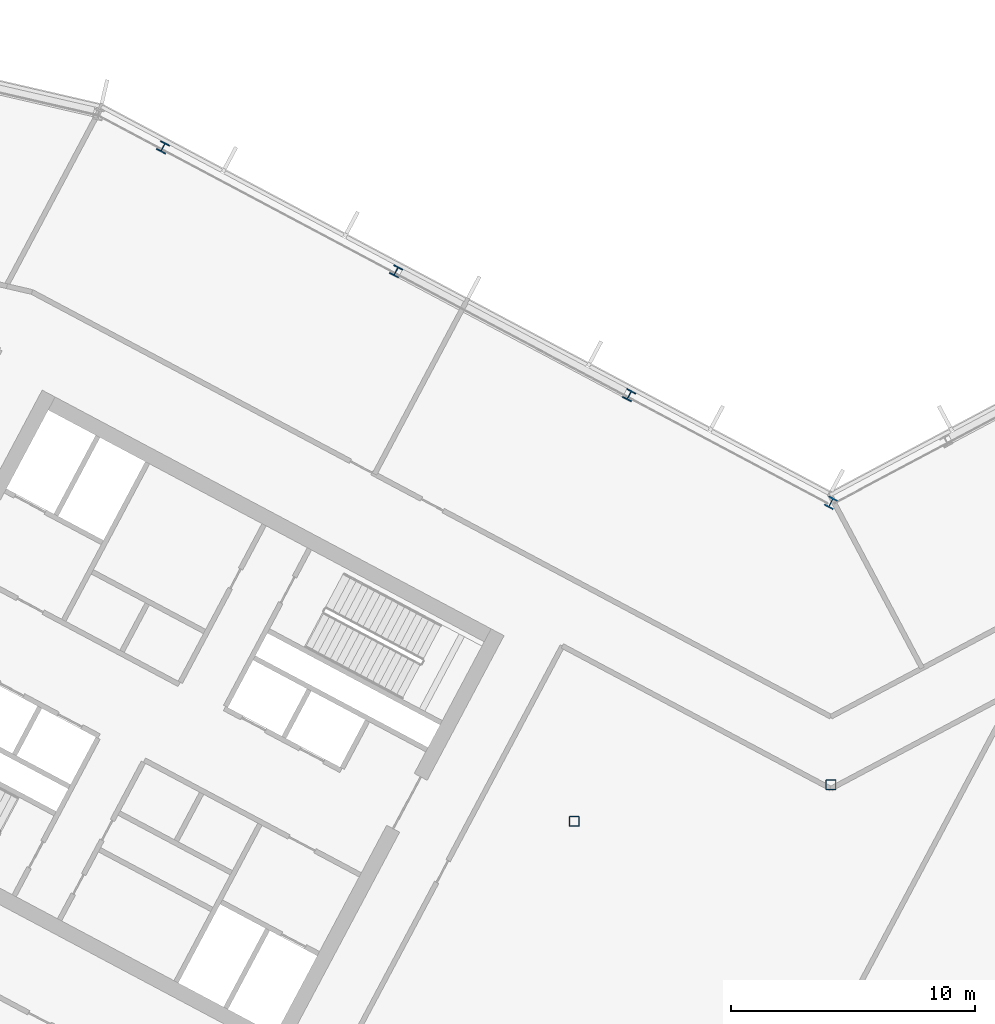
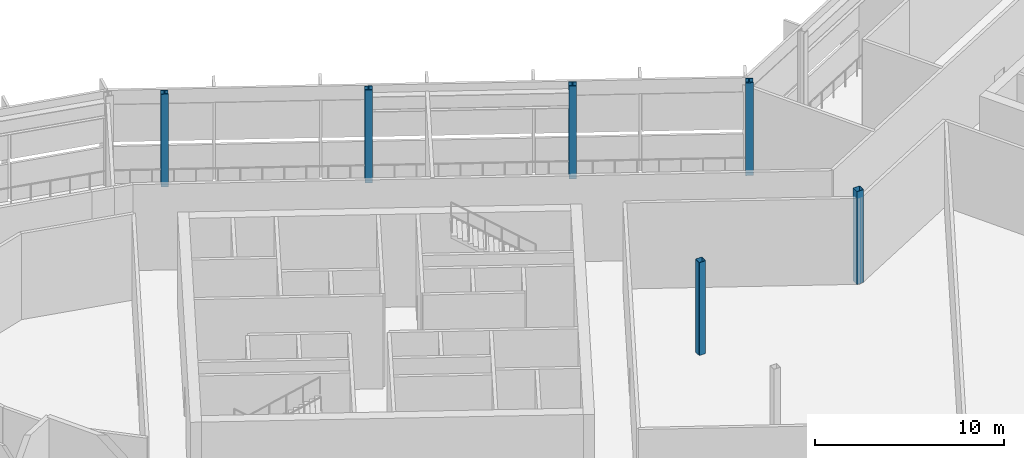
# One storey, part 4 of 33: 6 columns.
"""IFC4 building model written with IfcOpenShell, lengths in metres."""

from ifc_helpers import new_model, si_unit, direction, frame, origin, origin_2d, place, context, subcontext, project, spatial, hollow_rectangle, i_section, extrude, material, material_profile, profile_set, type_object, element, save


model = new_model("IFC4")

# Units and contexts
model_context = context("Model", 3, precision=1e-05, world=origin(), true_north=direction((0.0, 1.0)))
body_context = subcontext(model_context, "Body", "Model", "MODEL_VIEW")
ifc_project = project(units=[si_unit("LENGTHUNIT", "METRE"), si_unit("AREAUNIT", "SQUARE_METRE"), si_unit("VOLUMEUNIT", "CUBIC_METRE"), si_unit("PLANEANGLEUNIT", "RADIAN"), si_unit("MASSUNIT", "GRAM", prefix="KILO")], contexts=[model_context])

# Site, building, storey
site_placement = place(None, origin())
site = spatial("IfcSite", under=ifc_project, at=site_placement, CompositionType="ELEMENT")
building_placement = place(site_placement, origin())
building = spatial("IfcBuilding", under=site, at=building_placement, Name="Cormorant Relay Tower", CompositionType="ELEMENT")
storey_placement = place(building_placement, frame((0.0, 0.0, 252.0)))
storey = spatial("IfcBuildingStorey", under=building, at=storey_placement, Name="L56", CompositionType="ELEMENT", Elevation=252.0)

# Columns
ifc_material_1 = material(Name="Steel ASTM A500 Grade C (Fy 345 MPa)", Category="steel")
ifc_material_profile_1 = material_profile(ifc_material_1, hollow_rectangle(XDim=0.406494140625, YDim=0.406494140625, WallThickness=0.0146484375, InnerFilletRadius=0.00732421875, OuterFilletRadius=0.022216796875, at=origin_2d()), Name="HSS406x406x15")
ifc_profile_set_1 = profile_set([ifc_material_profile_1], Name="Steel ASTM A500 Grade C (Fy 345 MPa)")
column_type_1 = type_object("IfcColumnType", Name="Column HSS406x406x15", PredefinedType="COLUMN", material=ifc_profile_set_1)
for number, where, z_axis, x_axis, name in (
    (1, (-10.5, 10.5, 0.0), (0.0, 0.0, 1.0), (1.0, 0.0, 0.0), "Column L56-023"),
    (2, (0.0, 12.0, 0.0), (0.0, 0.0, 1.0), (1.0, 0.0, 0.0), "Column L56-025"),
):
    element("IfcColumn", number, at=place(storey_placement, frame(where, z_axis=z_axis, x_axis=x_axis)), inside=storey, type_object=column_type_1, Name=name, PredefinedType="COLUMN", context=body_context, shape_type="SweptSolid", body=[
        extrude(hollow_rectangle(XDim=0.406494140625, YDim=0.406494140625, WallThickness=0.0146484375, InnerFilletRadius=0.00732421875, OuterFilletRadius=0.022216796875, at=origin_2d()), origin(), (0.0, 0.0, 1.0), 6.0),
    ])
ifc_material_2 = material(Name="Steel ASTM A992 (Fy 345 MPa)", Category="steel")
ifc_material_profile_2 = material_profile(ifc_material_2, i_section(OverallWidth=0.40380859375, OverallDepth=0.406494140625, WebThickness=0.027099609375, FlangeThickness=0.043701171875, FilletRadius=0.01513671875, at=origin_2d()), Name="W360x347")
ifc_profile_set_2 = profile_set([ifc_material_profile_2], Name="Steel ASTM A992 (Fy 345 MPa)")
column_type_2 = type_object("IfcColumnType", Name="Column W360x347", PredefinedType="COLUMN", material=ifc_profile_set_2)
for number, where, z_axis, x_axis, name in (
    (3, (-8.251953125, 27.93408203125, 0.0), (0.0, 0.0, 1.0), (-0.882947592859, 0.469471562786, 0.0), "Column L56-033"),
    (4, (-17.7880859375, 33.00390625, 0.0), (0.0, 0.0, 1.0), (-0.882947592859, 0.469471562786, 0.0), "Column L56-037"),
    (5, (-27.322998046875, 38.073974609375, 0.0), (0.0, 0.0, 1.0), (-0.882947592859, 0.469471562786, 0.0), "Column L56-040"),
):
    element("IfcColumn", number, at=place(storey_placement, frame(where, z_axis=z_axis, x_axis=x_axis)), inside=storey, type_object=column_type_2, Name=name, PredefinedType="COLUMN", context=body_context, shape_type="SweptSolid", body=[
        extrude(i_section(OverallWidth=0.40380859375, OverallDepth=0.406494140625, WebThickness=0.027099609375, FlangeThickness=0.043701171875, FilletRadius=0.01513671875, at=origin_2d()), origin(), (0.0, 0.0, 1.0), 6.0),
    ])
ifc_material_3 = material(Name="Steel ASTM A992 (Fy 345 MPa)", Category="steel")
ifc_material_profile_3 = material_profile(ifc_material_3, i_section(OverallWidth=0.41162109375, OverallDepth=0.434326171875, WebThickness=0.035888671875, FlangeThickness=0.057373046875, FilletRadius=0.01513671875, at=origin_2d()), Name="W360x463")
ifc_profile_set_3 = profile_set([ifc_material_profile_3], Name="Steel ASTM A992 (Fy 345 MPa)")
column_type_3 = type_object("IfcColumnType", Name="Column W360x463", PredefinedType="COLUMN", material=ifc_profile_set_3)
column_placement = place(storey_placement, frame((0.0, 23.533935546875, 0.0), z_axis=(0.0, 0.0, 1.0), x_axis=(-0.882947592859, 0.469471562786, 0.0)))
element("IfcColumn", 6, at=column_placement, inside=storey, type_object=column_type_3, Name="Column L56-030", PredefinedType="COLUMN", context=body_context, shape_type="SweptSolid", body=[
    extrude(i_section(OverallWidth=0.41162109375, OverallDepth=0.434326171875, WebThickness=0.035888671875, FlangeThickness=0.057373046875, FilletRadius=0.01513671875, at=origin_2d()), origin(), (0.0, 0.0, 1.0), 6.0),
])

save(model, "model.ifc")
